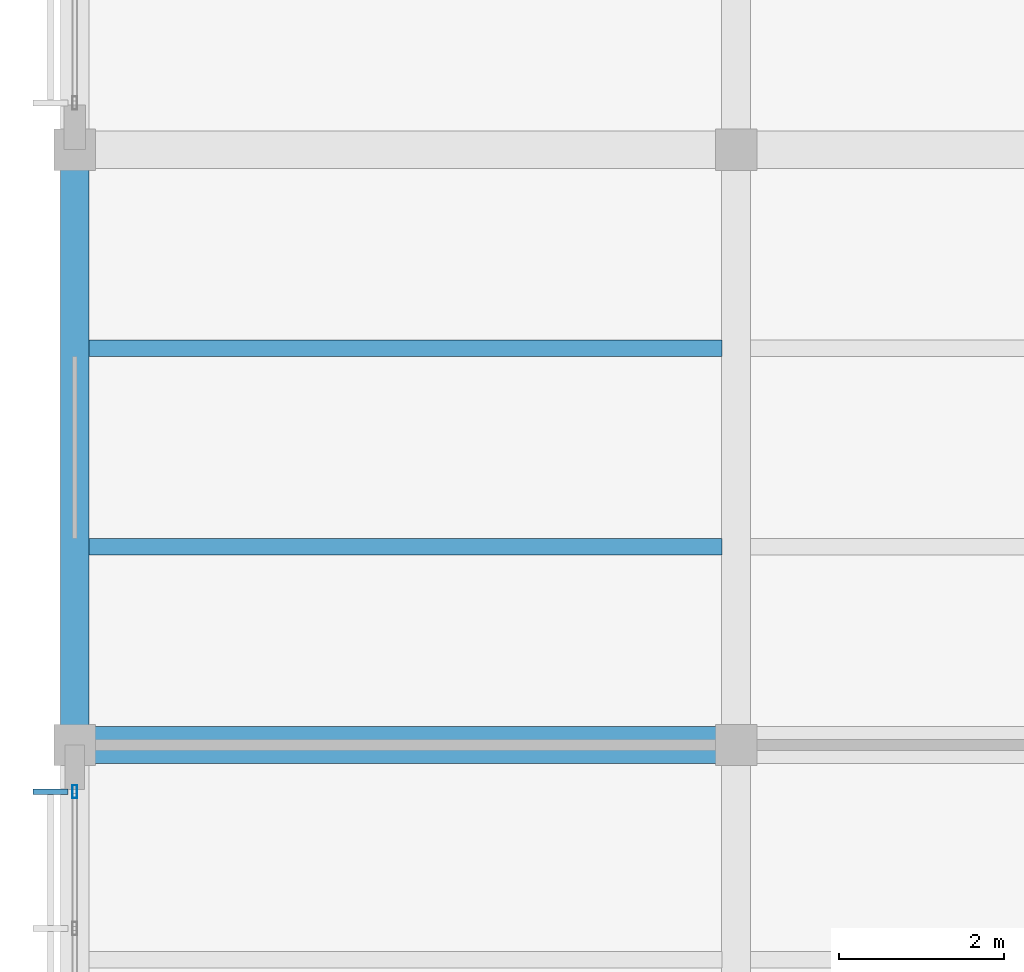
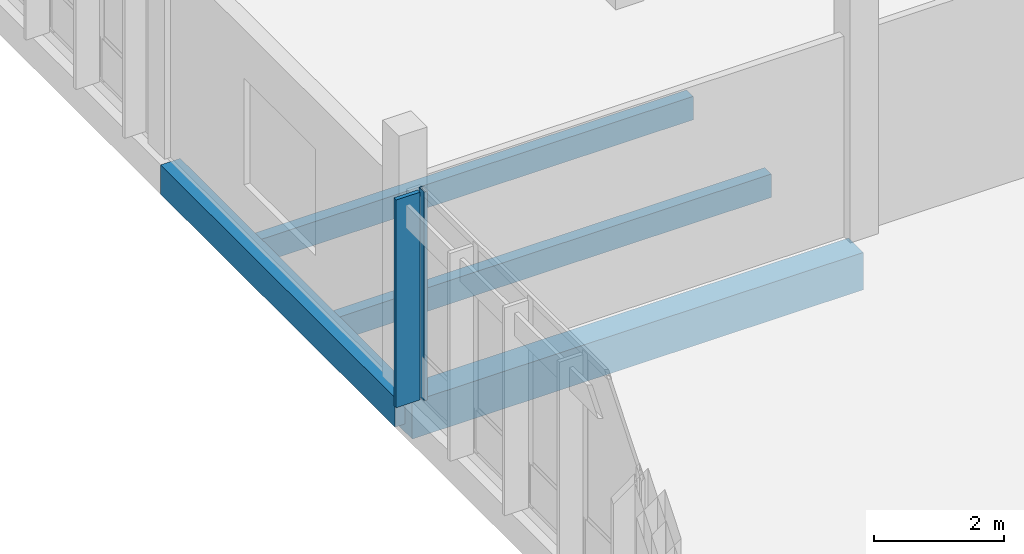
# One storey, part 59 of 177: 4 beams, 2 members, 1 element without a shape of its own.
"""IFC4 building model written with IfcOpenShell, lengths in metres."""

from ifc_helpers import new_model, si_unit, direction, frame, origin, origin_2d, place, context, subcontext, project, spatial, rectangle, hollow_rectangle, extrude, material, material_profile, profile_set, type_object, element, aggregate, save


model = new_model("IFC4")

# Units and contexts
model_context = context("Model", 3, precision=1e-05, world=origin(), true_north=direction((0.0, 1.0)))
body_context = subcontext(model_context, "Body", "Model", "MODEL_VIEW")
ifc_project = project(units=[si_unit("LENGTHUNIT", "METRE"), si_unit("AREAUNIT", "SQUARE_METRE"), si_unit("VOLUMEUNIT", "CUBIC_METRE"), si_unit("PLANEANGLEUNIT", "RADIAN"), si_unit("MASSUNIT", "GRAM", prefix="KILO")], contexts=[model_context])

# Site, building, storey
site_placement = place(None, origin())
site = spatial("IfcSite", under=ifc_project, at=site_placement, CompositionType="ELEMENT")
building_placement = place(site_placement, origin())
building = spatial("IfcBuilding", under=site, at=building_placement, Name="Chiffa Square Polytechnic", CompositionType="ELEMENT")
storey_placement = place(building_placement, frame((0.0, 0.0, 4.800048828125)))
storey = spatial("IfcBuildingStorey", under=building, at=storey_placement, Name="L01", CompositionType="ELEMENT", Elevation=4.800048828125)

# Beams
ifc_material_1 = material(Name="Concrete C35/45", Category="concrete")
ifc_material_profile_1 = material_profile(ifc_material_1, rectangle(XDim=0.35009765625, YDim=0.550048828125, at=origin_2d()), Name="RC 350x550")
ifc_profile_set_1 = profile_set([ifc_material_profile_1], Name="Concrete C35/45")
beam_type_1 = type_object("IfcBeamType", Name="BM-RC-350X550", PredefinedType="BEAM", material=ifc_profile_set_1)
beam_1_placement = place(storey_placement, frame((0.0, 65.39990234375, -0.554931640625), z_axis=(0.0, 1.0, 0.0), x_axis=(-1.0, 0.0, 0.0)))
element("IfcBeam", 1, at=beam_1_placement, inside=storey, type_object=beam_type_1, Name="Primary floor girder BM-V6-L01-Y-0000-0654", PredefinedType="BEAM", context=body_context, shape_type="SweptSolid", body=[
    extrude(rectangle(XDim=0.35009765625, YDim=0.550048828125, at=origin_2d()), origin(), (0.0, 0.0, 1.0), 7.2001953125),
])
ifc_material_profile_2 = material_profile(ifc_material_1, rectangle(XDim=0.449951171875, YDim=0.699951171875, at=origin_2d()), Name="RC 450x700")
ifc_profile_set_2 = profile_set([ifc_material_profile_2], Name="Concrete C35/45")
beam_type_2 = type_object("IfcBeamType", Name="BM-RC-450X700", PredefinedType="BEAM", material=ifc_profile_set_2)
beam_2_placement = place(storey_placement, frame((0.0, 65.39990234375, -0.630126953125), z_axis=(1.0, 0.0, 0.0), x_axis=(0.0, 1.0, 0.0)))
element("IfcBeam", 2, at=beam_2_placement, inside=storey, type_object=beam_type_2, Name="Primary floor girder BM-V6-L01-X-0000-0654", PredefinedType="BEAM", context=body_context, shape_type="SweptSolid", body=[
    extrude(rectangle(XDim=0.449951171875, YDim=0.699951171875, at=origin_2d()), origin(), (0.0, 0.0, 1.0), 8.0),
])

# Curtain wall, members
ifc_material_2 = material(Name="Aluminium EN AW-6060 T66 and glulam shading", Category="wood")
curtain_wall_type = type_object("IfcCurtainWallType", Name="CW-VERT-360X380", PredefinedType="USERDEFINED", material=ifc_material_2)
curtain_wall_placement = place(storey_placement, origin())
curtain_wall = element("IfcCurtainWall", 3, at=curtain_wall_placement, inside=storey, type_object=curtain_wall_type, Name="Curtain wall CW-V6-L01-261", ObjectType="CURTAIN WALL", PredefinedType="USERDEFINED")
ifc_material_3 = material(Name="Aluminium EN AW-6060 T66", Category="aluminium")
ifc_material_profile_3 = material_profile(ifc_material_3, hollow_rectangle(XDim=0.06005859375, YDim=0.159912109375, WallThickness=0.00390625, at=origin_2d()), Name="ALU 60x160x4")
ifc_profile_set_3 = profile_set([ifc_material_profile_3], Name="Aluminium EN AW-6060 T66")
member_type_1 = type_object("IfcMemberType", Name="CWM-ALU-65X150", PredefinedType="MULLION", material=ifc_profile_set_3)
member_1_placement = place(storey_placement, frame((0.0, 64.8349609375, 0.0), z_axis=(0.0, 0.0, 1.0), x_axis=(1.0, 0.0, 0.0)))
member_1 = element("IfcMember", 4, at=member_1_placement, type_object=member_type_1, Name="Curtain wall mullion CW-V6-L01-261-M00", PredefinedType="MULLION", context=body_context, shape_type="SweptSolid", body=[
    extrude(hollow_rectangle(XDim=0.06005859375, YDim=0.159912109375, WallThickness=0.00390625, at=origin_2d()), origin(), (0.0, 0.0, 1.0), 3.9150390625),
])
ifc_material_4 = material(Name="Glulam GL28h", Category="wood")
ifc_material_profile_4 = material_profile(ifc_material_4, rectangle(XDim=0.070068359375, YDim=0.419921875, at=origin_2d()), Name="GL28h 70x420")
ifc_profile_set_4 = profile_set([ifc_material_profile_4], Name="Glulam GL28h")
member_type_2 = type_object("IfcMemberType", Name="CWM-GL-70X420", PredefinedType="MULLION", material=ifc_profile_set_4)
member_2_placement = place(storey_placement, frame((-0.2919921875, 64.8349609375, 0.010009765625), z_axis=(0.0, 0.0, 1.0), x_axis=(0.0, -1.0, 0.0)))
member_2 = element("IfcMember", 5, at=member_2_placement, type_object=member_type_2, Name="Exterior glulam solar fin CW-V6-L01-261-FN00", PredefinedType="MULLION", context=body_context, shape_type="SweptSolid", body=[
    extrude(rectangle(XDim=0.070068359375, YDim=0.419921875, at=origin_2d()), origin(), (0.0, 0.0, 1.0), 3.89501953125),
])
aggregate(curtain_wall, [member_1, member_2])

# Beams
ifc_material_profile_5 = material_profile(ifc_material_4, rectangle(XDim=0.199951171875, YDim=0.43994140625, at=origin_2d()), Name="GL28h 200x440")
ifc_profile_set_5 = profile_set([ifc_material_profile_5], Name="Glulam GL28h")
beam_type_3 = type_object("IfcBeamType", Name="JST-GL-200X440", PredefinedType="JOIST", material=ifc_profile_set_5)
for number, where, z_axis, x_axis, name in (
    (6, (0.173095703125, 67.800048828125, -0.5), (1.0, 0.0, 0.0), (0.0, 1.0, 0.0), "Secondary floor joist JST-V6-L01-0000-0678"),
    (7, (0.173095703125, 70.199951171875, -0.5), (1.0, 0.0, 0.0), (0.0, 1.0, 0.0), "Secondary floor joist JST-V6-L01-0000-0702"),
):
    element("IfcBeam", number, at=place(storey_placement, frame(where, z_axis=z_axis, x_axis=x_axis)), inside=storey, type_object=beam_type_3, Name=name, PredefinedType="JOIST", context=body_context, shape_type="SweptSolid", body=[
        extrude(rectangle(XDim=0.199951171875, YDim=0.43994140625, at=origin_2d()), origin(), (0.0, 0.0, 1.0), 7.65380859375),
    ])

save(model, "model.ifc")
